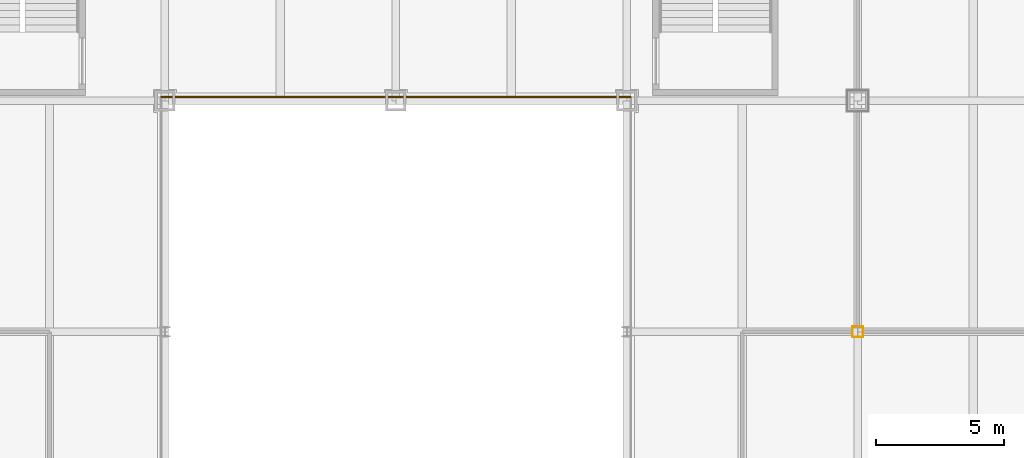
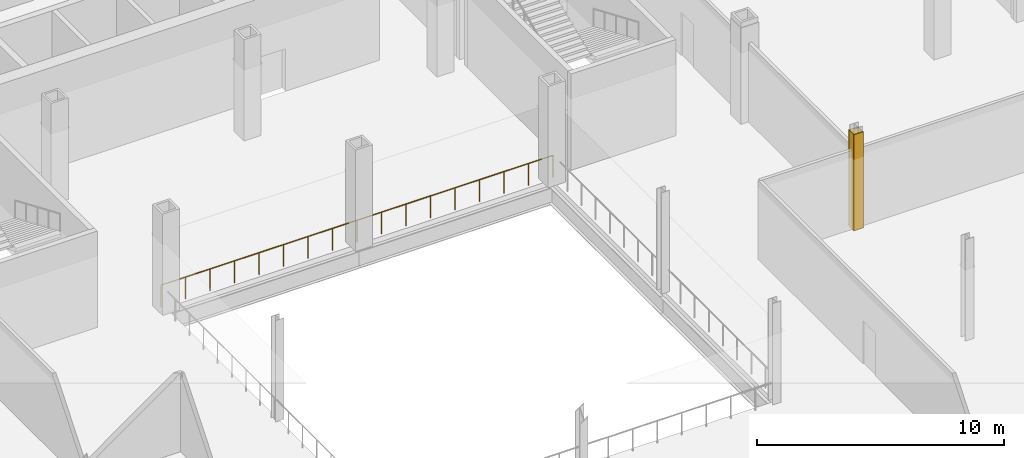
# One storey, part 22 of 31: 4 coverings, 1 railing.
"""IFC4 building model written with IfcOpenShell, lengths in metres."""

from ifc_helpers import new_model, si_unit, direction, frame, origin, origin_2d, place, context, subcontext, project, spatial, rectangle, circle, extrude, material, layer, layer_set, type_object, element, save


model = new_model("IFC4")

# Units and contexts
model_context = context("Model", 3, precision=1e-05, world=origin(), true_north=direction((0.0, 1.0)))
body_context = subcontext(model_context, "Body", "Model", "MODEL_VIEW")
ifc_project = project(units=[si_unit("LENGTHUNIT", "METRE"), si_unit("AREAUNIT", "SQUARE_METRE"), si_unit("VOLUMEUNIT", "CUBIC_METRE"), si_unit("PLANEANGLEUNIT", "RADIAN"), si_unit("MASSUNIT", "GRAM", prefix="KILO")], contexts=[model_context])

# Site, building, storey
site_placement = place(None, origin())
site = spatial("IfcSite", under=ifc_project, at=site_placement, CompositionType="ELEMENT")
building_placement = place(site_placement, origin())
building = spatial("IfcBuilding", under=site, at=building_placement, Name="Loomwork Tower", CompositionType="ELEMENT")
storey_placement = place(building_placement, frame((0.0, 0.0, 11.0)))
storey = spatial("IfcBuildingStorey", under=building, at=storey_placement, Name="L02", CompositionType="ELEMENT", Elevation=11.0)

# Coverings
ifc_material_1 = material(Name="Two-hour fire-rated gypsum board casing")
ifc_layer = layer(ifc_material_1, 0.02490234375)
ifc_layer_set = layer_set([ifc_layer], Name="Column fire casing 25")
covering_type = type_object("IfcCoveringType", Name="Column fire casing 25", PredefinedType="CLADDING", material=ifc_layer_set)
for number, where, z_axis, x_axis, name in (
    (1, (45.0, -8.799560546875, 0.0), (0.0, 0.0, 1.0), (1.0, 0.0, 0.0), "Column casing 45 -9 L02"),
    (2, (45.0, -9.200439453125, 0.0), (0.0, 0.0, 1.0), (1.0, 0.0, 0.0), "Column casing 45 -9 L02"),
):
    element("IfcCovering", number, at=place(storey_placement, frame(where, z_axis=z_axis, x_axis=x_axis)), inside=storey, type_object=covering_type, Name=name, PredefinedType="CLADDING", context=body_context, shape_type="SweptSolid", body=[
        extrude(rectangle(XDim=0.443603515625, YDim=0.02490234375, at=origin_2d()), origin(), (0.0, 0.0, 1.0), 4.75),
    ])
for number, where, z_axis, x_axis, name in (
    (3, (45.20947265625, -9.0, 0.0), (0.0, 0.0, 1.0), (1.0, 0.0, 0.0), "Column casing 45 -9 L02"),
    (4, (44.79052734375, -9.0, 0.0), (0.0, 0.0, 1.0), (1.0, 0.0, 0.0), "Column casing 45 -9 L02"),
):
    element("IfcCovering", number, at=place(storey_placement, frame(where, z_axis=z_axis, x_axis=x_axis)), inside=storey, type_object=covering_type, Name=name, PredefinedType="CLADDING", context=body_context, shape_type="SweptSolid", body=[
        extrude(rectangle(XDim=0.02490234375, YDim=0.3759765625, at=origin_2d()), origin(), (0.0, 0.0, 1.0), 4.75),
    ])

# Railing
ifc_material_2 = material(Name="Stainless steel and laminated glass guard", Category="steel")
railing_type = type_object("IfcRailingType", Name="Guard 1100", PredefinedType="GUARDRAIL", material=ifc_material_2)
railing_placement = place(storey_placement, frame((36.14990234375, 0.14990234375, 0.0)))
element("IfcRailing", 5, at=railing_placement, inside=storey, type_object=railing_type, Name="Atrium guard N L02", PredefinedType="GUARDRAIL", context=body_context, shape_type="SweptSolid", body=[
    extrude(circle(Radius=0.02392578125, at=origin_2d()), frame((0.0, 0.0, 1.076171875), z_axis=(-1.0, 0.0, 0.0), x_axis=(0.0, -1.0, 0.0)), (0.0, 0.0, 1.0), 18.2998046875),
    extrude(circle(Radius=0.02099609375, at=origin_2d()), origin(), (0.0, 0.0, 1.0), 1.052001953125),
    extrude(circle(Radius=0.02099609375, at=origin_2d()), frame((-1.143798828125, 0.0, 0.0)), (0.0, 0.0, 1.0), 1.052001953125),
    extrude(circle(Radius=0.02099609375, at=origin_2d()), frame((-2.28759765625, 0.0, 0.0)), (0.0, 0.0, 1.0), 1.052001953125),
    extrude(circle(Radius=0.02099609375, at=origin_2d()), frame((-3.43115234375, 0.0, 0.0)), (0.0, 0.0, 1.0), 1.052001953125),
    extrude(circle(Radius=0.02099609375, at=origin_2d()), frame((-4.574951171875, 0.0, 0.0)), (0.0, 0.0, 1.0), 1.052001953125),
    extrude(circle(Radius=0.02099609375, at=origin_2d()), frame((-5.71875, 0.0, 0.0)), (0.0, 0.0, 1.0), 1.052001953125),
    extrude(circle(Radius=0.02099609375, at=origin_2d()), frame((-6.8623046875, 0.0, 0.0)), (0.0, 0.0, 1.0), 1.052001953125),
    extrude(circle(Radius=0.02099609375, at=origin_2d()), frame((-8.006103515625, 0.0, 0.0)), (0.0, 0.0, 1.0), 1.052001953125),
    extrude(circle(Radius=0.02099609375, at=origin_2d()), frame((-9.14990234375, 0.0, 0.0)), (0.0, 0.0, 1.0), 1.052001953125),
    extrude(circle(Radius=0.02099609375, at=origin_2d()), frame((-10.293701171875, 0.0, 0.0)), (0.0, 0.0, 1.0), 1.052001953125),
    extrude(circle(Radius=0.02099609375, at=origin_2d()), frame((-11.4375, 0.0, 0.0)), (0.0, 0.0, 1.0), 1.052001953125),
    extrude(circle(Radius=0.02099609375, at=origin_2d()), frame((-12.5810546875, 0.0, 0.0)), (0.0, 0.0, 1.0), 1.052001953125),
    extrude(circle(Radius=0.02099609375, at=origin_2d()), frame((-13.724853515625, 0.0, 0.0)), (0.0, 0.0, 1.0), 1.052001953125),
    extrude(circle(Radius=0.02099609375, at=origin_2d()), frame((-14.86865234375, 0.0, 0.0)), (0.0, 0.0, 1.0), 1.052001953125),
    extrude(circle(Radius=0.02099609375, at=origin_2d()), frame((-16.01220703125, 0.0, 0.0)), (0.0, 0.0, 1.0), 1.052001953125),
    extrude(circle(Radius=0.02099609375, at=origin_2d()), frame((-17.156005859375, 0.0, 0.0)), (0.0, 0.0, 1.0), 1.052001953125),
    extrude(circle(Radius=0.02099609375, at=origin_2d()), frame((-18.2998046875, 0.0, 0.0)), (0.0, 0.0, 1.0), 1.052001953125),
])

save(model, "model.ifc")
